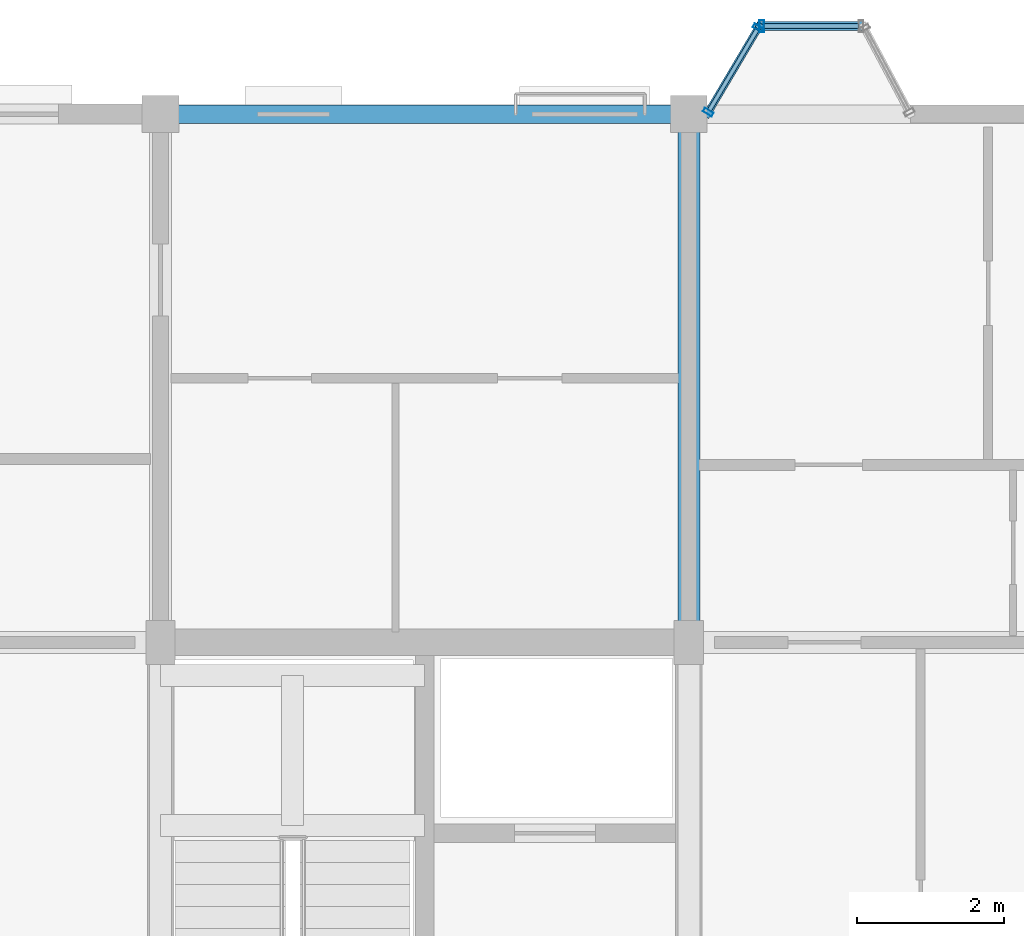
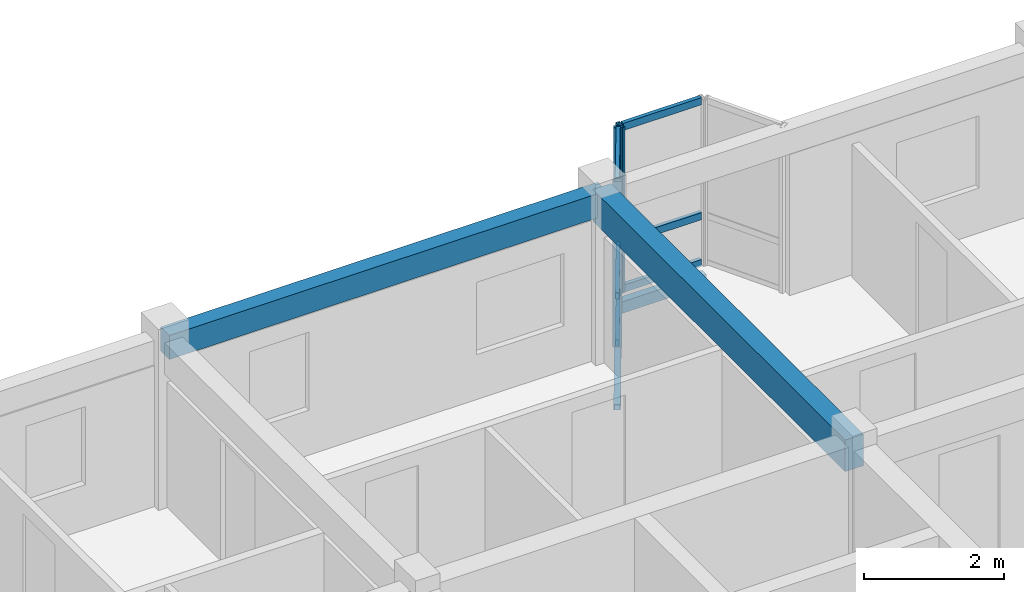
# One storey, part 10 of 38: 11 members, 2 beams, 2 elements without a shape of their own.
"""IFC4 building model written with IfcOpenShell, lengths in metres."""

from ifc_helpers import new_model, si_unit, direction, frame, origin, origin_2d, place, context, subcontext, project, spatial, rectangle, hollow_rectangle, extrude, material, layer, layer_set, material_profile, profile_set, type_object, element, aggregate, save


model = new_model("IFC4")

# Units and contexts
model_context = context("Model", 3, precision=1e-05, world=origin(), true_north=direction((0.0, 1.0)))
body_context = subcontext(model_context, "Body", "Model", "MODEL_VIEW")
ifc_project = project(units=[si_unit("LENGTHUNIT", "METRE"), si_unit("AREAUNIT", "SQUARE_METRE"), si_unit("VOLUMEUNIT", "CUBIC_METRE"), si_unit("PLANEANGLEUNIT", "RADIAN"), si_unit("MASSUNIT", "GRAM", prefix="KILO"), si_unit("THERMODYNAMICTEMPERATUREUNIT", "KELVIN"), si_unit("POWERUNIT", "WATT")], contexts=[model_context])

# Site, building, storey
site_placement = place(None, origin())
site = spatial("IfcSite", under=ifc_project, at=site_placement, CompositionType="ELEMENT")
building_placement = place(site_placement, origin())
building = spatial("IfcBuilding", under=site, at=building_placement, Name="Tavuni Mirador Residences", CompositionType="ELEMENT")
storey_placement = place(building_placement, frame((0.0, 0.0, 32.85009765625)))
storey = spatial("IfcBuildingStorey", under=building, at=storey_placement, Name="L10", CompositionType="ELEMENT", Elevation=32.85009765625)

# Beams
ifc_material_1 = material(Name="Precast concrete C40/50", Category="concrete")
ifc_material_profile_1 = material_profile(ifc_material_1, rectangle(XDim=0.300048828125, YDim=0.550048828125, at=origin_2d()), Name="PC 300x550", Category="concrete")
ifc_profile_set_1 = profile_set([ifc_material_profile_1], Name="Precast concrete C40/50")
beam_type_1 = type_object("IfcBeamType", Name="BT-B550", PredefinedType="BEAM", material=ifc_profile_set_1)
beam_1_placement = place(storey_placement, frame((32.39990234375, 165.60009765625, 2.60986328125), z_axis=(0.0, 1.0, 0.0), x_axis=(-1.0, 0.0, 0.0)))
element("IfcBeam", 1, at=beam_1_placement, inside=storey, type_object=beam_type_1, Name="BMY-BLK-C-L10-03-03", PredefinedType="BEAM", context=body_context, shape_type="SweptSolid", body=[
    extrude(rectangle(XDim=0.300048828125, YDim=0.550048828125, at=origin_2d()), origin(), (0.0, 0.0, 1.0), 7.199951171875),
])
ifc_material_profile_2 = material_profile(ifc_material_1, rectangle(XDim=0.25, YDim=0.419921875, at=origin_2d()), Name="PC 250x420", Category="concrete")
ifc_profile_set_2 = profile_set([ifc_material_profile_2], Name="Precast concrete C40/50")
beam_type_2 = type_object("IfcBeamType", Name="BT-SP420", PredefinedType="SPANDREL", material=ifc_profile_set_2)
beam_2_placement = place(storey_placement, frame((25.199951171875, 172.800048828125, 2.6748046875), z_axis=(1.0, 0.0, 0.0), x_axis=(0.0, 1.0, 0.0)))
element("IfcBeam", 2, at=beam_2_placement, inside=storey, type_object=beam_type_2, Name="BMX-BLK-C-L10-02-04", PredefinedType="SPANDREL", context=body_context, shape_type="SweptSolid", body=[
    extrude(rectangle(XDim=0.25, YDim=0.419921875, at=origin_2d()), origin(), (0.0, 0.0, 1.0), 7.199951171875),
])

# Curtain wall, members
ifc_material_2 = material(Name="Anodised aluminium", Category="aluminium")
ifc_layer_1 = layer(ifc_material_2, 0.175048828125, Name="Anodised aluminium", Category="aluminium")
ifc_layer_set_1 = layer_set([ifc_layer_1], Name="Anodised aluminium")
curtain_wall_type_1 = type_object("IfcCurtainWallType", Name="CWT-MIR-C", PredefinedType="NOTDEFINED", material=ifc_layer_set_1)
curtain_wall_1_placement = place(storey_placement, origin())
curtain_wall_1 = element("IfcCurtainWall", 3, at=curtain_wall_1_placement, inside=storey, type_object=curtain_wall_type_1, Name="CW-MIR-C-N2-L10-M2", PredefinedType="NOTDEFINED")
ifc_material_profile_3 = material_profile(ifc_material_2, hollow_rectangle(XDim=0.06005859375, YDim=0.139892578125, WallThickness=0.00390625, at=origin_2d()), Name="ALU 60x140x4.0", Category="aluminium")
ifc_profile_set_3 = profile_set([ifc_material_profile_3], Name="Anodised aluminium")
member_type_1 = type_object("IfcMemberType", Name="CWM-140", PredefinedType="MULLION", material=ifc_profile_set_3)
member_1_placement = place(storey_placement, frame((33.3447265625, 173.97412109375, 0.0), z_axis=(0.0, 0.0, 1.0), x_axis=(-0.509212491254, -0.860640830284, 0.0)))
member_1 = element("IfcMember", 4, at=member_1_placement, type_object=member_type_1, Name="CW-03 mullion 1", PredefinedType="MULLION", context=body_context, shape_type="SweptSolid", body=[
    extrude(hollow_rectangle(XDim=0.06005859375, YDim=0.139892578125, WallThickness=0.00390625, at=origin_2d()), origin(), (0.0, 0.0, 1.0), 2.885009765625),
])
member_2_placement = place(storey_placement, frame((32.665283203125, 172.825927734375, 0.0), z_axis=(0.0, 0.0, 1.0), x_axis=(-0.509212491254, -0.860640830284, 0.0)))
member_2 = element("IfcMember", 5, at=member_2_placement, type_object=member_type_1, Name="CW-03 mullion 2", PredefinedType="MULLION", context=body_context, shape_type="SweptSolid", body=[
    extrude(hollow_rectangle(XDim=0.06005859375, YDim=0.139892578125, WallThickness=0.00390625, at=origin_2d()), origin(), (0.0, 0.0, 1.0), 2.885009765625),
])

# Curtain wall, member
ifc_layer_2 = layer(ifc_material_2, 0.14990234375, Name="Anodised aluminium", Category="aluminium")
ifc_layer_set_2 = layer_set([ifc_layer_2], Name="Anodised aluminium")
curtain_wall_type_2 = type_object("IfcCurtainWallType", Name="CWT-MIR-B", PredefinedType="NOTDEFINED", material=ifc_layer_set_2)
curtain_wall_2_placement = place(storey_placement, origin())
curtain_wall_2 = element("IfcCurtainWall", 6, at=curtain_wall_2_placement, inside=storey, type_object=curtain_wall_type_2, Name="CW-MIR-C-N2-L10-MF", PredefinedType="NOTDEFINED")
ifc_material_profile_4 = material_profile(ifc_material_2, hollow_rectangle(XDim=0.06494140625, YDim=0.1650390625, WallThickness=0.00439453125, at=origin_2d()), Name="ALU 65x165x4.5", Category="aluminium")
ifc_profile_set_4 = profile_set([ifc_material_profile_4], Name="Anodised aluminium")
member_type_2 = type_object("IfcMemberType", Name="CWM-165", PredefinedType="MULLION", material=ifc_profile_set_4)
member_3_placement = place(storey_placement, frame((33.392578125, 174.0, 0.0), z_axis=(0.0, 0.0, 1.0), x_axis=(-1.0, 0.0, 0.0)))
member_3 = element("IfcMember", 7, at=member_3_placement, type_object=member_type_2, Name="CW-02 mullion 2", PredefinedType="MULLION", context=body_context, shape_type="SweptSolid", body=[
    extrude(hollow_rectangle(XDim=0.06494140625, YDim=0.1650390625, WallThickness=0.00439453125, at=origin_2d()), origin(), (0.0, 0.0, 1.0), 2.885009765625),
])

# Member
ifc_material_profile_5 = material_profile(ifc_material_2, hollow_rectangle(XDim=0.06005859375, YDim=0.110107421875, WallThickness=0.00390625, at=origin_2d()), Name="ALU 60x110x4.0", Category="aluminium")
ifc_profile_set_5 = profile_set([ifc_material_profile_5], Name="Anodised aluminium")
member_type_3 = type_object("IfcMemberType", Name="CWT-110", PredefinedType="USERDEFINED", material=ifc_profile_set_5)
member_4_placement = place(storey_placement, frame((33.329345703125, 173.9482421875, 0.02978515625), z_axis=(-0.509103678098, -0.860705202114, 0.0), x_axis=(0.860705202114, -0.509103678098, 0.0)))
member_4 = element("IfcMember", 8, at=member_4_placement, type_object=member_type_3, Name="CW-03 transom 1.1", ObjectType="TRANSOM", PredefinedType="USERDEFINED", context=body_context, shape_type="SweptSolid", body=[
    extrude(hollow_rectangle(XDim=0.06005859375, YDim=0.110107421875, WallThickness=0.00390625, at=origin_2d()), origin(), (0.0, 0.0, 1.0), 1.274169921875),
])

member_5_placement = place(storey_placement, frame((33.329345703125, 173.9482421875, 0.849853515625), z_axis=(-0.509103678098, -0.860705202114, 0.0), x_axis=(0.860705202114, -0.509103678098, 0.0)))
member_5 = element("IfcMember", 9, at=member_5_placement, type_object=member_type_3, Name="CW-03 transom 1.2", ObjectType="TRANSOM", PredefinedType="USERDEFINED", context=body_context, shape_type="SweptSolid", body=[
    extrude(hollow_rectangle(XDim=0.06005859375, YDim=0.110107421875, WallThickness=0.00390625, at=origin_2d()), origin(), (0.0, 0.0, 1.0), 1.274169921875),
])

member_6_placement = place(storey_placement, frame((33.329345703125, 173.9482421875, 2.85498046875), z_axis=(-0.509103678098, -0.860705202114, 0.0), x_axis=(0.860705202114, -0.509103678098, 0.0)))
member_6 = element("IfcMember", 10, at=member_6_placement, type_object=member_type_3, Name="CW-03 transom 1.3", ObjectType="TRANSOM", PredefinedType="USERDEFINED", context=body_context, shape_type="SweptSolid", body=[
    extrude(hollow_rectangle(XDim=0.06005859375, YDim=0.110107421875, WallThickness=0.00390625, at=origin_2d()), origin(), (0.0, 0.0, 1.0), 1.274169921875),
])

aggregate(curtain_wall_1, [member_1, member_2, member_4, member_5, member_6])

ifc_material_profile_6 = material_profile(ifc_material_2, hollow_rectangle(XDim=0.06494140625, YDim=0.125, WallThickness=0.00439453125, at=origin_2d()), Name="ALU 65x125x4.5", Category="aluminium")
ifc_profile_set_6 = profile_set([ifc_material_profile_6], Name="Anodised aluminium")
member_type_4 = type_object("IfcMemberType", Name="CWT-125", PredefinedType="USERDEFINED", material=ifc_profile_set_6)
member_7_placement = place(storey_placement, frame((34.715087890625, 174.0, 0.032470703125), z_axis=(-1.0, 0.0, 0.0), x_axis=(0.0, -1.0, 0.0)))
member_7 = element("IfcMember", 11, at=member_7_placement, type_object=member_type_4, Name="CW-02 transom 1.1", ObjectType="TRANSOM", PredefinedType="USERDEFINED", context=body_context, shape_type="SweptSolid", body=[
    extrude(hollow_rectangle(XDim=0.06494140625, YDim=0.125, WallThickness=0.00439453125, at=origin_2d()), origin(), (0.0, 0.0, 1.0), 1.2900390625),
])

member_8_placement = place(storey_placement, frame((34.715087890625, 174.0, 0.849853515625), z_axis=(-1.0, 0.0, 0.0), x_axis=(0.0, -1.0, 0.0)))
member_8 = element("IfcMember", 12, at=member_8_placement, type_object=member_type_4, Name="CW-02 transom 1.2", ObjectType="TRANSOM", PredefinedType="USERDEFINED", context=body_context, shape_type="SweptSolid", body=[
    extrude(hollow_rectangle(XDim=0.06494140625, YDim=0.125, WallThickness=0.00439453125, at=origin_2d()), origin(), (0.0, 0.0, 1.0), 1.2900390625),
])

member_9_placement = place(storey_placement, frame((34.715087890625, 174.0, 2.852294921875), z_axis=(-1.0, 0.0, 0.0), x_axis=(0.0, -1.0, 0.0)))
member_9 = element("IfcMember", 13, at=member_9_placement, type_object=member_type_4, Name="CW-02 transom 1.3", ObjectType="TRANSOM", PredefinedType="USERDEFINED", context=body_context, shape_type="SweptSolid", body=[
    extrude(hollow_rectangle(XDim=0.06494140625, YDim=0.125, WallThickness=0.00439453125, at=origin_2d()), origin(), (0.0, 0.0, 1.0), 1.2900390625),
])

aggregate(curtain_wall_2, [member_3, member_7, member_8, member_9])

# Members
ifc_material_3 = material(Name="Structural steel S355", Category="steel")
ifc_material_profile_7 = material_profile(ifc_material_3, hollow_rectangle(XDim=0.10009765625, YDim=0.179931640625, WallThickness=0.008056640625, at=origin_2d()), Name="RHS 180x100x8.0", Category="steel")
ifc_profile_set_7 = profile_set([ifc_material_profile_7], Name="Structural steel S355")
member_type_5 = type_object("IfcMemberType", Name="MT-BR-RHS180", PredefinedType="BRACE", material=ifc_profile_set_7)
member_10_placement = place(storey_placement, frame((32.64990234375, 172.800048828125, -1.050048828125), z_axis=(0.44384687269, 0.749916596518, 0.49053547463), x_axis=(-0.860567285497, 0.509336771823, 0.0)))
element("IfcMember", 14, at=member_10_placement, inside=storey, type_object=member_type_5, Name="MBRK-MIR-C-N2-L10-1", PredefinedType="BRACE", context=body_context, shape_type="SweptSolid", body=[
    extrude(hollow_rectangle(XDim=0.10009765625, YDim=0.179931640625, WallThickness=0.008056640625, at=origin_2d()), origin(), (0.0, 0.0, 1.0), 1.60009765625),
])
ifc_material_profile_8 = material_profile(ifc_material_3, hollow_rectangle(XDim=0.1201171875, YDim=0.199951171875, WallThickness=0.010009765625, at=origin_2d()), Name="RHS 200x120x10.0", Category="steel")
ifc_profile_set_8 = profile_set([ifc_material_profile_8], Name="Structural steel S355")
member_type_6 = type_object("IfcMemberType", Name="MT-ST-RHS200", PredefinedType="STRUT", material=ifc_profile_set_8)
member_11_placement = place(storey_placement, frame((33.360107421875, 174.0, -0.26513671875), z_axis=(1.0, 0.0, 0.0), x_axis=(0.0, 1.0, 0.0)))
element("IfcMember", 15, at=member_11_placement, inside=storey, type_object=member_type_6, Name="MRIM-MIR-C-N2-L10", PredefinedType="STRUT", context=body_context, shape_type="SweptSolid", body=[
    extrude(hollow_rectangle(XDim=0.1201171875, YDim=0.199951171875, WallThickness=0.010009765625, at=origin_2d()), origin(), (0.0, 0.0, 1.0), 1.419921875),
])

save(model, "model.ifc")
